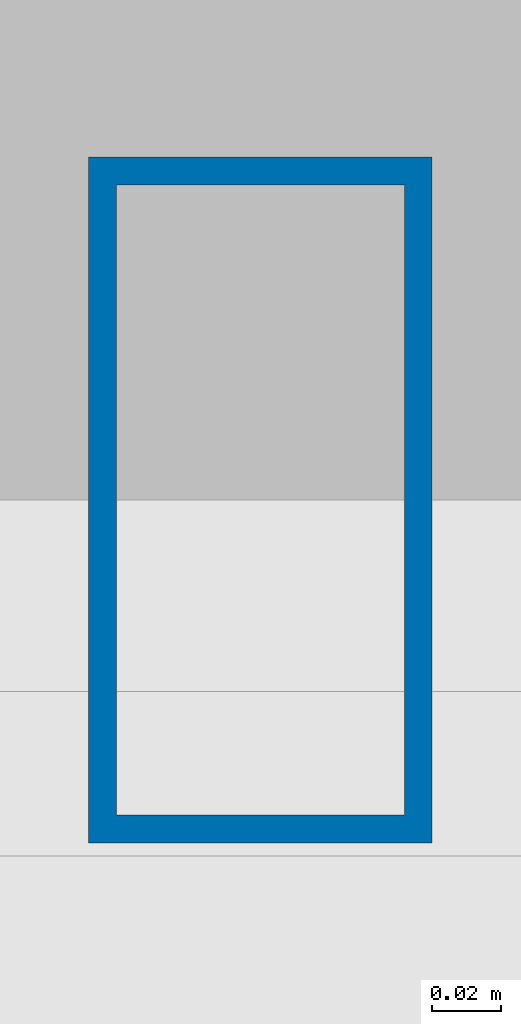
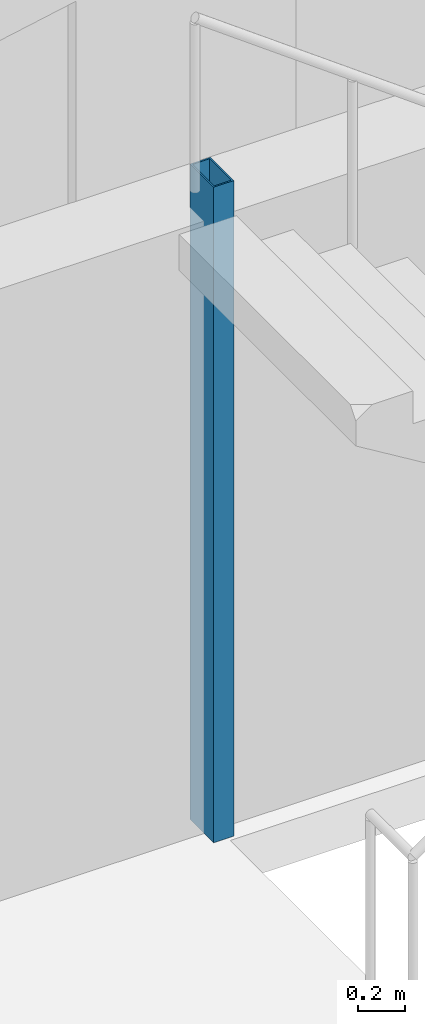
# One storey, part 2 of 21: 1 column.
"""IFC4 building model written with IfcOpenShell, lengths in metres."""

from ifc_helpers import new_model, si_unit, direction, frame, origin, origin_2d, place, context, subcontext, project, spatial, hollow_rectangle, extrude, material, material_profile, profile_set, type_object, element, save


model = new_model("IFC4")

# Units and contexts
model_context = context("Model", 3, precision=1e-05, world=origin(), true_north=direction((0.0, 1.0)))
body_context = subcontext(model_context, "Body", "Model", "MODEL_VIEW")
ifc_project = project(units=[si_unit("LENGTHUNIT", "METRE"), si_unit("AREAUNIT", "SQUARE_METRE"), si_unit("VOLUMEUNIT", "CUBIC_METRE"), si_unit("PLANEANGLEUNIT", "RADIAN"), si_unit("MASSUNIT", "GRAM", prefix="KILO")], contexts=[model_context])

# Site, building, storey
site_placement = place(None, origin())
site = spatial("IfcSite", under=ifc_project, at=site_placement, CompositionType="ELEMENT")
building_placement = place(site_placement, origin())
building = spatial("IfcBuilding", under=site, at=building_placement, Name="Menara Jurai Vektor", CompositionType="ELEMENT")
storey_placement = place(building_placement, frame((0.0, 0.0, 188.800048828125)))
storey = spatial("IfcBuildingStorey", under=building, at=storey_placement, Name="L49", CompositionType="ELEMENT", Elevation=188.800048828125)

# Column
ifc_material = material(Name="Steel S355", Category="steel")
ifc_material_profile = material_profile(ifc_material, hollow_rectangle(XDim=0.10009765625, YDim=0.199951171875, WallThickness=0.008056640625, at=origin_2d()), Name="RHS 200x100x8")
ifc_profile_set = profile_set([ifc_material_profile], Name="Steel S355")
column_type = type_object("IfcColumnType", Name="STR-COL-STAIR", PredefinedType="COLUMN", material=ifc_profile_set)
column_placement = place(storey_placement, frame((-11.1201171875, 5.419921875, 0.0), z_axis=(0.0, 0.0, 1.0), x_axis=(1.0, 0.0, 0.0)))
element("IfcColumn", 1, at=column_placement, inside=storey, type_object=column_type, Name="Stair Well Header Column ST1-P2 L49", PredefinedType="COLUMN", context=body_context, shape_type="SweptSolid", body=[
    extrude(hollow_rectangle(XDim=0.10009765625, YDim=0.199951171875, WallThickness=0.008056640625, at=origin_2d()), origin(), (0.0, 0.0, 1.0), 3.39990234375),
])

save(model, "model.ifc")
